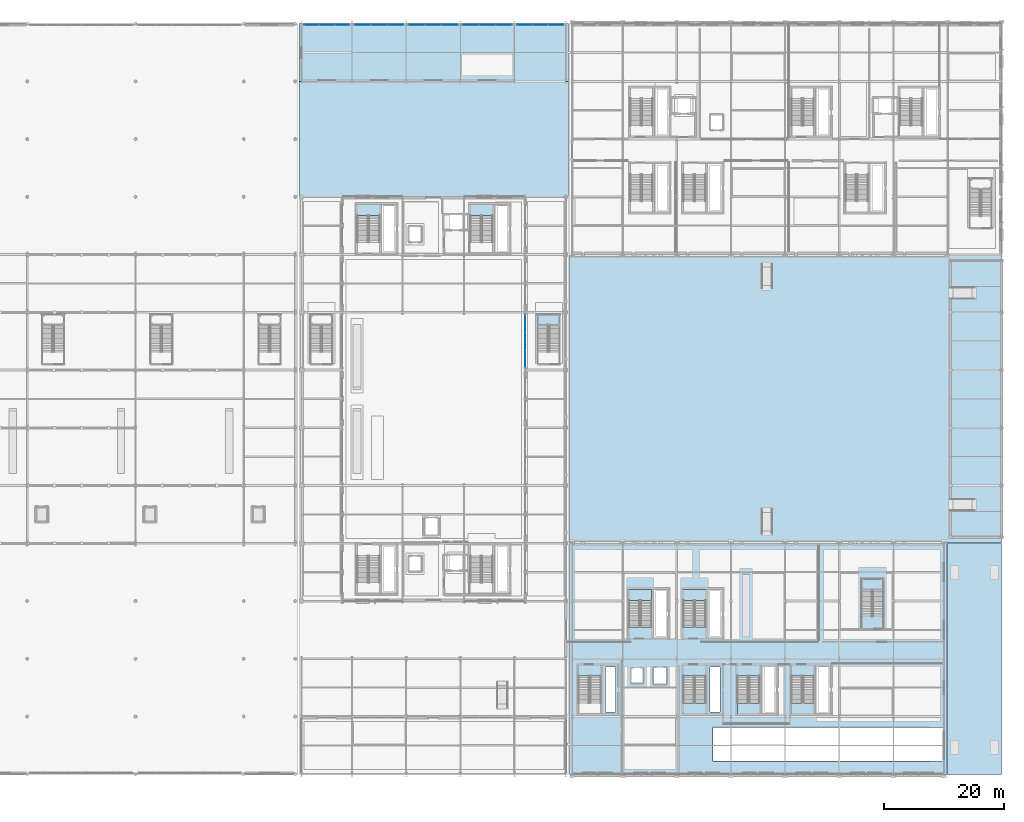
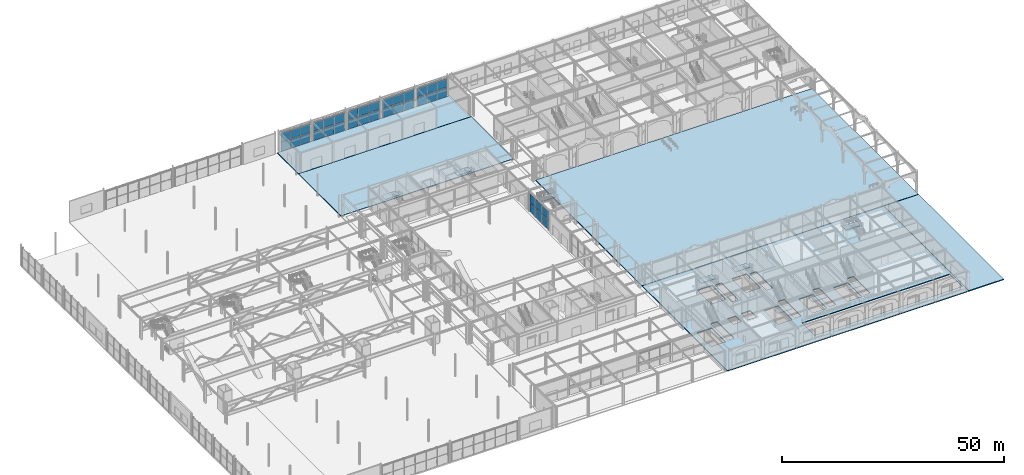
# One storey, part 50 of 113: 36 plates, 14 slabs, 15 elements without a shape of their own.
"""IFC4 building model written with IfcOpenShell, lengths in metres."""

from ifc_helpers import new_model, si_unit, direction, frame, origin, origin_2d, place, context, subcontext, project, spatial, polyline, rectangle, outline, extrude, material, layer, layer_set, type_object, element, aggregate, save


model = new_model("IFC4")

# Units and contexts
model_context = context("Model", 3, precision=1e-05, world=origin(), true_north=direction((0.0, 1.0)))
body_context = subcontext(model_context, "Body", "Model", "MODEL_VIEW")
ifc_project = project(units=[si_unit("LENGTHUNIT", "METRE"), si_unit("AREAUNIT", "SQUARE_METRE"), si_unit("VOLUMEUNIT", "CUBIC_METRE"), si_unit("PLANEANGLEUNIT", "RADIAN"), si_unit("MASSUNIT", "GRAM", prefix="KILO")], contexts=[model_context])

# Site, building, storey
site_placement = place(None, origin())
site = spatial("IfcSite", under=ifc_project, at=site_placement, CompositionType="ELEMENT")
building_placement = place(site_placement, origin())
building = spatial("IfcBuilding", under=site, at=building_placement, Name="Myrtia Square Station", CompositionType="ELEMENT")
storey_placement = place(building_placement, origin())
storey = spatial("IfcBuildingStorey", under=building, at=storey_placement, Name="L00", CompositionType="ELEMENT", Elevation=0.0)

# Curtain wall, plates
ifc_material_1 = material(Name="Dark bronze anodised aluminium", Category="aluminium")
ifc_layer_1 = layer(ifc_material_1, 0.159912109375, Name="Dark bronze anodised aluminium")
ifc_layer_set_1 = layer_set([ifc_layer_1], Name="Dark bronze anodised aluminium")
curtain_wall_type_1 = type_object("IfcCurtainWallType", Name="CW-TYPE-33-826x510", PredefinedType="USERDEFINED", material=ifc_layer_set_1)
curtain_wall_1_placement = place(storey_placement, origin())
curtain_wall_1 = element("IfcCurtainWall", 1, at=curtain_wall_1_placement, inside=storey, type_object=curtain_wall_type_1, Name="Concourse curtain wall CW-L00-106", ObjectType="CONCOURSE CURTAIN WALL", PredefinedType="USERDEFINED")
ifc_material_2 = material(Name="Tinted low-E solar control glass", Category="glass")
ifc_layer_2 = layer(ifc_material_2, 0.02392578125, Name="Tinted low-E solar control glass")
ifc_layer_set_2 = layer_set([ifc_layer_2], Name="Tinted low-E solar control glass")
plate_type_1 = type_object("IfcPlateType", Name="CWP-GLZ-24", PredefinedType="CURTAIN_PANEL", material=ifc_layer_set_2)
plate_1_placement = place(storey_placement, frame((82.765380859375, 124.60009765625, 0.074951171875), z_axis=(0.0, 0.0, 1.0), x_axis=(1.0, 0.0, 0.0)))
plate_1 = element("IfcPlate", 2, at=plate_1_placement, type_object=plate_type_1, Name="CW-106 panel 1.1", PredefinedType="CURTAIN_PANEL", context=body_context, shape_type="SweptSolid", body=[
    extrude(rectangle(XDim=2.640869140625, YDim=0.02392578125, at=origin_2d()), origin(), (0.0, 0.0, 1.0), 2.53955078125),
])
plate_2_placement = place(storey_placement, frame((82.765380859375, 124.60009765625, 2.689453125), z_axis=(0.0, 0.0, 1.0), x_axis=(1.0, 0.0, 0.0)))
plate_2 = element("IfcPlate", 3, at=plate_2_placement, type_object=plate_type_1, Name="CW-106 panel 1.2", PredefinedType="CURTAIN_PANEL", context=body_context, shape_type="SweptSolid", body=[
    extrude(rectangle(XDim=2.640869140625, YDim=0.02392578125, at=origin_2d()), origin(), (0.0, 0.0, 1.0), 2.33544921875),
])
plate_3_placement = place(storey_placement, frame((85.5, 124.60009765625, 0.074951171875), z_axis=(0.0, 0.0, 1.0), x_axis=(1.0, 0.0, 0.0)))
plate_3 = element("IfcPlate", 4, at=plate_3_placement, type_object=plate_type_1, Name="CW-106 panel 2.1", PredefinedType="CURTAIN_PANEL", context=body_context, shape_type="SweptSolid", body=[
    extrude(rectangle(XDim=2.67822265625, YDim=0.02392578125, at=origin_2d()), origin(), (0.0, 0.0, 1.0), 2.53955078125),
])
plate_4_placement = place(storey_placement, frame((85.5, 124.60009765625, 2.689453125), z_axis=(0.0, 0.0, 1.0), x_axis=(1.0, 0.0, 0.0)))
plate_4 = element("IfcPlate", 5, at=plate_4_placement, type_object=plate_type_1, Name="CW-106 panel 2.2", PredefinedType="CURTAIN_PANEL", context=body_context, shape_type="SweptSolid", body=[
    extrude(rectangle(XDim=2.67822265625, YDim=0.02392578125, at=origin_2d()), origin(), (0.0, 0.0, 1.0), 2.33544921875),
])
plate_5_placement = place(storey_placement, frame((88.234619140625, 124.60009765625, 0.074951171875), z_axis=(0.0, 0.0, 1.0), x_axis=(1.0, 0.0, 0.0)))
plate_5 = element("IfcPlate", 6, at=plate_5_placement, type_object=plate_type_1, Name="CW-106 panel 3.1", PredefinedType="CURTAIN_PANEL", context=body_context, shape_type="SweptSolid", body=[
    extrude(rectangle(XDim=2.640869140625, YDim=0.02392578125, at=origin_2d()), origin(), (0.0, 0.0, 1.0), 2.53955078125),
])
plate_6_placement = place(storey_placement, frame((88.234619140625, 124.60009765625, 2.689453125), z_axis=(0.0, 0.0, 1.0), x_axis=(1.0, 0.0, 0.0)))
plate_6 = element("IfcPlate", 7, at=plate_6_placement, type_object=plate_type_1, Name="CW-106 panel 3.2", PredefinedType="CURTAIN_PANEL", context=body_context, shape_type="SweptSolid", body=[
    extrude(rectangle(XDim=2.640869140625, YDim=0.02392578125, at=origin_2d()), origin(), (0.0, 0.0, 1.0), 2.33544921875),
])
aggregate(curtain_wall_1, [plate_1, plate_2, plate_3, plate_4, plate_5, plate_6])

ifc_layer_3 = layer(ifc_material_1, 0.159912109375, Name="Dark bronze anodised aluminium")
ifc_layer_set_3 = layer_set([ifc_layer_3], Name="Dark bronze anodised aluminium")
curtain_wall_type_2 = type_object("IfcCurtainWallType", Name="CW-TYPE-02-870x519", PredefinedType="USERDEFINED", material=ifc_layer_set_3)
curtain_wall_2_placement = place(storey_placement, origin())
curtain_wall_2 = element("IfcCurtainWall", 8, at=curtain_wall_2_placement, inside=storey, type_object=curtain_wall_type_2, Name="Concourse curtain wall CW-L00-004", ObjectType="CONCOURSE CURTAIN WALL", PredefinedType="USERDEFINED")
ifc_layer_4 = layer(ifc_material_2, 0.028076171875, Name="Tinted low-E solar control glass")
ifc_layer_set_4 = layer_set([ifc_layer_4], Name="Tinted low-E solar control glass")
plate_type_2 = type_object("IfcPlateType", Name="CWP-GLZ-28", PredefinedType="CURTAIN_PANEL", material=ifc_layer_set_4)
plate_7_placement = place(storey_placement, frame((109.800048828125, 69.1162109375, 0.06494140625), z_axis=(0.0, 0.0, 1.0), x_axis=(0.0, 1.0, 0.0)))
plate_7 = element("IfcPlate", 9, at=plate_7_placement, type_object=plate_type_2, Name="CW-004 panel 1.1", PredefinedType="CURTAIN_PANEL", context=body_context, shape_type="SweptSolid", body=[
    extrude(rectangle(XDim=2.802490234375, YDim=0.028076171875, at=origin_2d()), origin(), (0.0, 0.0, 1.0), 2.6015625),
])
plate_8_placement = place(storey_placement, frame((109.800048828125, 69.1162109375, 2.7314453125), z_axis=(0.0, 0.0, 1.0), x_axis=(0.0, 1.0, 0.0)))
plate_8 = element("IfcPlate", 10, at=plate_8_placement, type_object=plate_type_2, Name="CW-004 panel 1.2", PredefinedType="CURTAIN_PANEL", context=body_context, shape_type="SweptSolid", body=[
    extrude(rectangle(XDim=2.802490234375, YDim=0.028076171875, at=origin_2d()), origin(), (0.0, 0.0, 1.0), 2.3935546875),
])
plate_9_placement = place(storey_placement, frame((109.800048828125, 72.0, 0.06494140625), z_axis=(0.0, 0.0, 1.0), x_axis=(0.0, 1.0, 0.0)))
plate_9 = element("IfcPlate", 11, at=plate_9_placement, type_object=plate_type_2, Name="CW-004 panel 2.1", PredefinedType="CURTAIN_PANEL", context=body_context, shape_type="SweptSolid", body=[
    extrude(rectangle(XDim=2.8349609375, YDim=0.028076171875, at=origin_2d()), origin(), (0.0, 0.0, 1.0), 2.6015625),
])
plate_10_placement = place(storey_placement, frame((109.800048828125, 72.0, 2.7314453125), z_axis=(0.0, 0.0, 1.0), x_axis=(0.0, 1.0, 0.0)))
plate_10 = element("IfcPlate", 12, at=plate_10_placement, type_object=plate_type_2, Name="CW-004 panel 2.2", PredefinedType="CURTAIN_PANEL", context=body_context, shape_type="SweptSolid", body=[
    extrude(rectangle(XDim=2.8349609375, YDim=0.028076171875, at=origin_2d()), origin(), (0.0, 0.0, 1.0), 2.3935546875),
])
plate_11_placement = place(storey_placement, frame((109.800048828125, 74.8837890625, 0.06494140625), z_axis=(0.0, 0.0, 1.0), x_axis=(0.0, 1.0, 0.0)))
plate_11 = element("IfcPlate", 13, at=plate_11_placement, type_object=plate_type_2, Name="CW-004 panel 3.1", PredefinedType="CURTAIN_PANEL", context=body_context, shape_type="SweptSolid", body=[
    extrude(rectangle(XDim=2.802490234375, YDim=0.028076171875, at=origin_2d()), origin(), (0.0, 0.0, 1.0), 2.6015625),
])
plate_12_placement = place(storey_placement, frame((109.800048828125, 74.8837890625, 2.7314453125), z_axis=(0.0, 0.0, 1.0), x_axis=(0.0, 1.0, 0.0)))
plate_12 = element("IfcPlate", 14, at=plate_12_placement, type_object=plate_type_2, Name="CW-004 panel 3.2", PredefinedType="CURTAIN_PANEL", context=body_context, shape_type="SweptSolid", body=[
    extrude(rectangle(XDim=2.802490234375, YDim=0.028076171875, at=origin_2d()), origin(), (0.0, 0.0, 1.0), 2.3935546875),
])
aggregate(curtain_wall_2, [plate_7, plate_8, plate_9, plate_10, plate_11, plate_12])

ifc_layer_5 = layer(ifc_material_1, 0.159912109375, Name="Dark bronze anodised aluminium")
ifc_layer_set_5 = layer_set([ifc_layer_5], Name="Dark bronze anodised aluminium")
curtain_wall_type_3 = type_object("IfcCurtainWallType", Name="CW-TYPE-30-766x510", PredefinedType="USERDEFINED", material=ifc_layer_set_5)
curtain_wall_3_placement = place(storey_placement, origin())
curtain_wall_3 = element("IfcCurtainWall", 15, at=curtain_wall_3_placement, inside=storey, type_object=curtain_wall_type_3, Name="Concourse curtain wall CW-L00-103", ObjectType="CONCOURSE CURTAIN WALL", PredefinedType="USERDEFINED")
plate_13_placement = place(storey_placement, frame((74.265380859375, 124.60009765625, 0.074951171875), z_axis=(0.0, 0.0, 1.0), x_axis=(1.0, 0.0, 0.0)))
plate_13 = element("IfcPlate", 16, at=plate_13_placement, type_object=plate_type_2, Name="CW-103 panel 1.1", PredefinedType="CURTAIN_PANEL", context=body_context, shape_type="SweptSolid", body=[
    extrude(rectangle(XDim=2.44091796875, YDim=0.028076171875, at=origin_2d()), origin(), (0.0, 0.0, 1.0), 2.53955078125),
])
plate_14_placement = place(storey_placement, frame((74.265380859375, 124.60009765625, 2.689453125), z_axis=(0.0, 0.0, 1.0), x_axis=(1.0, 0.0, 0.0)))
plate_14 = element("IfcPlate", 17, at=plate_14_placement, type_object=plate_type_2, Name="CW-103 panel 1.2", PredefinedType="CURTAIN_PANEL", context=body_context, shape_type="SweptSolid", body=[
    extrude(rectangle(XDim=2.44091796875, YDim=0.028076171875, at=origin_2d()), origin(), (0.0, 0.0, 1.0), 2.33544921875),
])
plate_15_placement = place(storey_placement, frame((76.800048828125, 124.60009765625, 0.074951171875), z_axis=(0.0, 0.0, 1.0), x_axis=(1.0, 0.0, 0.0)))
plate_15 = element("IfcPlate", 18, at=plate_15_placement, type_object=plate_type_2, Name="CW-103 panel 2.1", PredefinedType="CURTAIN_PANEL", context=body_context, shape_type="SweptSolid", body=[
    extrude(rectangle(XDim=2.478271484375, YDim=0.028076171875, at=origin_2d()), origin(), (0.0, 0.0, 1.0), 2.53955078125),
])
plate_16_placement = place(storey_placement, frame((76.800048828125, 124.60009765625, 2.689453125), z_axis=(0.0, 0.0, 1.0), x_axis=(1.0, 0.0, 0.0)))
plate_16 = element("IfcPlate", 19, at=plate_16_placement, type_object=plate_type_2, Name="CW-103 panel 2.2", PredefinedType="CURTAIN_PANEL", context=body_context, shape_type="SweptSolid", body=[
    extrude(rectangle(XDim=2.478271484375, YDim=0.028076171875, at=origin_2d()), origin(), (0.0, 0.0, 1.0), 2.33544921875),
])
plate_17_placement = place(storey_placement, frame((79.33447265625, 124.60009765625, 0.074951171875), z_axis=(0.0, 0.0, 1.0), x_axis=(1.0, 0.0, 0.0)))
plate_17 = element("IfcPlate", 20, at=plate_17_placement, type_object=plate_type_2, Name="CW-103 panel 3.1", PredefinedType="CURTAIN_PANEL", context=body_context, shape_type="SweptSolid", body=[
    extrude(rectangle(XDim=2.44091796875, YDim=0.028076171875, at=origin_2d()), origin(), (0.0, 0.0, 1.0), 2.53955078125),
])
plate_18_placement = place(storey_placement, frame((79.33447265625, 124.60009765625, 2.689453125), z_axis=(0.0, 0.0, 1.0), x_axis=(1.0, 0.0, 0.0)))
plate_18 = element("IfcPlate", 21, at=plate_18_placement, type_object=plate_type_2, Name="CW-103 panel 3.2", PredefinedType="CURTAIN_PANEL", context=body_context, shape_type="SweptSolid", body=[
    extrude(rectangle(XDim=2.44091796875, YDim=0.028076171875, at=origin_2d()), origin(), (0.0, 0.0, 1.0), 2.33544921875),
])
aggregate(curtain_wall_3, [plate_13, plate_14, plate_15, plate_16, plate_17, plate_18])

curtain_wall_4_placement = place(storey_placement, origin())
curtain_wall_4 = element("IfcCurtainWall", 22, at=curtain_wall_4_placement, inside=storey, type_object=curtain_wall_type_1, Name="Concourse curtain wall CW-L00-111", ObjectType="CONCOURSE CURTAIN WALL", PredefinedType="USERDEFINED")
plate_19_placement = place(storey_placement, frame((100.765380859375, 124.60009765625, 0.074951171875), z_axis=(0.0, 0.0, 1.0), x_axis=(1.0, 0.0, 0.0)))
plate_19 = element("IfcPlate", 23, at=plate_19_placement, type_object=plate_type_2, Name="CW-111 panel 1.1", PredefinedType="CURTAIN_PANEL", context=body_context, shape_type="SweptSolid", body=[
    extrude(rectangle(XDim=2.640869140625, YDim=0.028076171875, at=origin_2d()), origin(), (0.0, 0.0, 1.0), 2.53955078125),
])
plate_20_placement = place(storey_placement, frame((100.765380859375, 124.60009765625, 2.689453125), z_axis=(0.0, 0.0, 1.0), x_axis=(1.0, 0.0, 0.0)))
plate_20 = element("IfcPlate", 24, at=plate_20_placement, type_object=plate_type_2, Name="CW-111 panel 1.2", PredefinedType="CURTAIN_PANEL", context=body_context, shape_type="SweptSolid", body=[
    extrude(rectangle(XDim=2.640869140625, YDim=0.028076171875, at=origin_2d()), origin(), (0.0, 0.0, 1.0), 2.33544921875),
])
plate_21_placement = place(storey_placement, frame((103.5, 124.60009765625, 0.074951171875), z_axis=(0.0, 0.0, 1.0), x_axis=(1.0, 0.0, 0.0)))
plate_21 = element("IfcPlate", 25, at=plate_21_placement, type_object=plate_type_2, Name="CW-111 panel 2.1", PredefinedType="CURTAIN_PANEL", context=body_context, shape_type="SweptSolid", body=[
    extrude(rectangle(XDim=2.67822265625, YDim=0.028076171875, at=origin_2d()), origin(), (0.0, 0.0, 1.0), 2.53955078125),
])
plate_22_placement = place(storey_placement, frame((103.5, 124.60009765625, 2.689453125), z_axis=(0.0, 0.0, 1.0), x_axis=(1.0, 0.0, 0.0)))
plate_22 = element("IfcPlate", 26, at=plate_22_placement, type_object=plate_type_2, Name="CW-111 panel 2.2", PredefinedType="CURTAIN_PANEL", context=body_context, shape_type="SweptSolid", body=[
    extrude(rectangle(XDim=2.67822265625, YDim=0.028076171875, at=origin_2d()), origin(), (0.0, 0.0, 1.0), 2.33544921875),
])
plate_23_placement = place(storey_placement, frame((106.234619140625, 124.60009765625, 0.074951171875), z_axis=(0.0, 0.0, 1.0), x_axis=(1.0, 0.0, 0.0)))
plate_23 = element("IfcPlate", 27, at=plate_23_placement, type_object=plate_type_2, Name="CW-111 panel 3.1", PredefinedType="CURTAIN_PANEL", context=body_context, shape_type="SweptSolid", body=[
    extrude(rectangle(XDim=2.640869140625, YDim=0.028076171875, at=origin_2d()), origin(), (0.0, 0.0, 1.0), 2.53955078125),
])
plate_24_placement = place(storey_placement, frame((106.234619140625, 124.60009765625, 2.689453125), z_axis=(0.0, 0.0, 1.0), x_axis=(1.0, 0.0, 0.0)))
plate_24 = element("IfcPlate", 28, at=plate_24_placement, type_object=plate_type_2, Name="CW-111 panel 3.2", PredefinedType="CURTAIN_PANEL", context=body_context, shape_type="SweptSolid", body=[
    extrude(rectangle(XDim=2.640869140625, YDim=0.028076171875, at=origin_2d()), origin(), (0.0, 0.0, 1.0), 2.33544921875),
])
aggregate(curtain_wall_4, [plate_19, plate_20, plate_21, plate_22, plate_23, plate_24])

curtain_wall_5_placement = place(storey_placement, origin())
curtain_wall_5 = element("IfcCurtainWall", 29, at=curtain_wall_5_placement, inside=storey, type_object=curtain_wall_type_1, Name="Concourse curtain wall CW-L00-108", ObjectType="CONCOURSE CURTAIN WALL", PredefinedType="USERDEFINED")
ifc_layer_6 = layer(ifc_material_2, 0.031982421875, Name="Tinted low-E solar control glass")
ifc_layer_set_6 = layer_set([ifc_layer_6], Name="Tinted low-E solar control glass")
plate_type_3 = type_object("IfcPlateType", Name="CWP-GLZ-32", PredefinedType="CURTAIN_PANEL", material=ifc_layer_set_6)
plate_25_placement = place(storey_placement, frame((91.765380859375, 124.60009765625, 0.074951171875), z_axis=(0.0, 0.0, 1.0), x_axis=(1.0, 0.0, 0.0)))
plate_25 = element("IfcPlate", 30, at=plate_25_placement, type_object=plate_type_3, Name="CW-108 panel 1.1", PredefinedType="CURTAIN_PANEL", context=body_context, shape_type="SweptSolid", body=[
    extrude(rectangle(XDim=2.640869140625, YDim=0.031982421875, at=origin_2d()), origin(), (0.0, 0.0, 1.0), 2.53955078125),
])
plate_26_placement = place(storey_placement, frame((91.765380859375, 124.60009765625, 2.689453125), z_axis=(0.0, 0.0, 1.0), x_axis=(1.0, 0.0, 0.0)))
plate_26 = element("IfcPlate", 31, at=plate_26_placement, type_object=plate_type_3, Name="CW-108 panel 1.2", PredefinedType="CURTAIN_PANEL", context=body_context, shape_type="SweptSolid", body=[
    extrude(rectangle(XDim=2.640869140625, YDim=0.031982421875, at=origin_2d()), origin(), (0.0, 0.0, 1.0), 2.33544921875),
])
plate_27_placement = place(storey_placement, frame((94.5, 124.60009765625, 0.074951171875), z_axis=(0.0, 0.0, 1.0), x_axis=(1.0, 0.0, 0.0)))
plate_27 = element("IfcPlate", 32, at=plate_27_placement, type_object=plate_type_3, Name="CW-108 panel 2.1", PredefinedType="CURTAIN_PANEL", context=body_context, shape_type="SweptSolid", body=[
    extrude(rectangle(XDim=2.67822265625, YDim=0.031982421875, at=origin_2d()), origin(), (0.0, 0.0, 1.0), 2.53955078125),
])
plate_28_placement = place(storey_placement, frame((94.5, 124.60009765625, 2.689453125), z_axis=(0.0, 0.0, 1.0), x_axis=(1.0, 0.0, 0.0)))
plate_28 = element("IfcPlate", 33, at=plate_28_placement, type_object=plate_type_3, Name="CW-108 panel 2.2", PredefinedType="CURTAIN_PANEL", context=body_context, shape_type="SweptSolid", body=[
    extrude(rectangle(XDim=2.67822265625, YDim=0.031982421875, at=origin_2d()), origin(), (0.0, 0.0, 1.0), 2.33544921875),
])
plate_29_placement = place(storey_placement, frame((97.234619140625, 124.60009765625, 0.074951171875), z_axis=(0.0, 0.0, 1.0), x_axis=(1.0, 0.0, 0.0)))
plate_29 = element("IfcPlate", 34, at=plate_29_placement, type_object=plate_type_3, Name="CW-108 panel 3.1", PredefinedType="CURTAIN_PANEL", context=body_context, shape_type="SweptSolid", body=[
    extrude(rectangle(XDim=2.640869140625, YDim=0.031982421875, at=origin_2d()), origin(), (0.0, 0.0, 1.0), 2.53955078125),
])
plate_30_placement = place(storey_placement, frame((97.234619140625, 124.60009765625, 2.689453125), z_axis=(0.0, 0.0, 1.0), x_axis=(1.0, 0.0, 0.0)))
plate_30 = element("IfcPlate", 35, at=plate_30_placement, type_object=plate_type_3, Name="CW-108 panel 3.2", PredefinedType="CURTAIN_PANEL", context=body_context, shape_type="SweptSolid", body=[
    extrude(rectangle(XDim=2.640869140625, YDim=0.031982421875, at=origin_2d()), origin(), (0.0, 0.0, 1.0), 2.33544921875),
])
aggregate(curtain_wall_5, [plate_25, plate_26, plate_27, plate_28, plate_29, plate_30])

ifc_layer_7 = layer(ifc_material_1, 0.159912109375, Name="Dark bronze anodised aluminium")
ifc_layer_set_7 = layer_set([ifc_layer_7], Name="Dark bronze anodised aluminium")
curtain_wall_type_4 = type_object("IfcCurtainWallType", Name="CW-TYPE-35-781x510", PredefinedType="USERDEFINED", material=ifc_layer_set_7)
curtain_wall_6_placement = place(storey_placement, origin())
curtain_wall_6 = element("IfcCurtainWall", 36, at=curtain_wall_6_placement, inside=storey, type_object=curtain_wall_type_4, Name="Concourse curtain wall CW-L00-113", ObjectType="CONCOURSE CURTAIN WALL", PredefinedType="USERDEFINED")
ifc_layer_8 = layer(ifc_material_2, 0.035888671875, Name="Tinted low-E solar control glass")
ifc_layer_set_8 = layer_set([ifc_layer_8], Name="Tinted low-E solar control glass")
plate_type_4 = type_object("IfcPlateType", Name="CWP-GLZ-36", PredefinedType="CURTAIN_PANEL", material=ifc_layer_set_8)
plate_31_placement = place(storey_placement, frame((109.6904296875, 124.60009765625, 0.074951171875), z_axis=(0.0, 0.0, 1.0), x_axis=(1.0, 0.0, 0.0)))
plate_31 = element("IfcPlate", 37, at=plate_31_placement, type_object=plate_type_4, Name="CW-113 panel 1.1", PredefinedType="CURTAIN_PANEL", context=body_context, shape_type="SweptSolid", body=[
    extrude(rectangle(XDim=2.49072265625, YDim=0.035888671875, at=origin_2d()), origin(), (0.0, 0.0, 1.0), 2.53955078125),
])
plate_32_placement = place(storey_placement, frame((109.6904296875, 124.60009765625, 2.689453125), z_axis=(0.0, 0.0, 1.0), x_axis=(1.0, 0.0, 0.0)))
plate_32 = element("IfcPlate", 38, at=plate_32_placement, type_object=plate_type_4, Name="CW-113 panel 1.2", PredefinedType="CURTAIN_PANEL", context=body_context, shape_type="SweptSolid", body=[
    extrude(rectangle(XDim=2.49072265625, YDim=0.035888671875, at=origin_2d()), origin(), (0.0, 0.0, 1.0), 2.33544921875),
])
plate_33_placement = place(storey_placement, frame((112.27490234375, 124.60009765625, 0.074951171875), z_axis=(0.0, 0.0, 1.0), x_axis=(1.0, 0.0, 0.0)))
plate_33 = element("IfcPlate", 39, at=plate_33_placement, type_object=plate_type_4, Name="CW-113 panel 2.1", PredefinedType="CURTAIN_PANEL", context=body_context, shape_type="SweptSolid", body=[
    extrude(rectangle(XDim=2.5283203125, YDim=0.035888671875, at=origin_2d()), origin(), (0.0, 0.0, 1.0), 2.53955078125),
])
plate_34_placement = place(storey_placement, frame((112.27490234375, 124.60009765625, 2.689453125), z_axis=(0.0, 0.0, 1.0), x_axis=(1.0, 0.0, 0.0)))
plate_34 = element("IfcPlate", 40, at=plate_34_placement, type_object=plate_type_4, Name="CW-113 panel 2.2", PredefinedType="CURTAIN_PANEL", context=body_context, shape_type="SweptSolid", body=[
    extrude(rectangle(XDim=2.5283203125, YDim=0.035888671875, at=origin_2d()), origin(), (0.0, 0.0, 1.0), 2.33544921875),
])
plate_35_placement = place(storey_placement, frame((114.859619140625, 124.60009765625, 0.074951171875), z_axis=(0.0, 0.0, 1.0), x_axis=(1.0, 0.0, 0.0)))
plate_35 = element("IfcPlate", 41, at=plate_35_placement, type_object=plate_type_4, Name="CW-113 panel 3.1", PredefinedType="CURTAIN_PANEL", context=body_context, shape_type="SweptSolid", body=[
    extrude(rectangle(XDim=2.49072265625, YDim=0.035888671875, at=origin_2d()), origin(), (0.0, 0.0, 1.0), 2.53955078125),
])
plate_36_placement = place(storey_placement, frame((114.859619140625, 124.60009765625, 2.689453125), z_axis=(0.0, 0.0, 1.0), x_axis=(1.0, 0.0, 0.0)))
plate_36 = element("IfcPlate", 42, at=plate_36_placement, type_object=plate_type_4, Name="CW-113 panel 3.2", PredefinedType="CURTAIN_PANEL", context=body_context, shape_type="SweptSolid", body=[
    extrude(rectangle(XDim=2.49072265625, YDim=0.035888671875, at=origin_2d()), origin(), (0.0, 0.0, 1.0), 2.33544921875),
])
aggregate(curtain_wall_6, [plate_31, plate_32, plate_33, plate_34, plate_35, plate_36])

# Slab
ifc_material_3 = material(Name="Concrete C35/45", Category="concrete")
ifc_layer_9 = layer(ifc_material_3, 0.260009765625, Name="Concrete C35/45")
ifc_layer_set_9 = layer_set([ifc_layer_9], Name="Concrete C35/45")
slab_type_1 = type_object("IfcSlabType", Name="SLB-FLR-260", PredefinedType="FLOOR", material=ifc_layer_set_9)
slab_1_placement = place(storey_placement, frame((0.0, 0.0, -0.260009765625)))
element("IfcSlab", 43, at=slab_1_placement, inside=storey, type_object=slab_type_1, Name="Structural floor slab SLB-L00-V5W", PredefinedType="FLOOR", context=body_context, shape_type="SweptSolid", body=[
    extrude(outline(polyline([(72.14990234375, 115.199951171875), (117.0, 115.199951171875), (117.0, 124.800048828125), (72.14990234375, 124.800048828125), (72.14990234375, 115.199951171875)])), origin(), (0.0, 0.0, 1.0), 0.260009765625),
])

# Stair, slab
stair_type_1 = type_object("IfcStairType", Name="STR-02-34R-1800W", PredefinedType="HALF_TURN_STAIR", material=ifc_material_3)
stair_1_placement = place(storey_placement, origin())
stair_1 = element("IfcStair", 44, at=stair_1_placement, inside=storey, type_object=stair_type_1, Name="L00 Core escape stair ST02", PredefinedType="HALF_TURN_STAIR")
ifc_layer_10 = layer(ifc_material_3, 0.199951171875, Name="Concrete C35/45")
ifc_layer_set_10 = layer_set([ifc_layer_10], Name="Concrete C35/45")
slab_type_2 = type_object("IfcSlabType", Name="SLB-LAND-200", PredefinedType="LANDING", material=ifc_layer_set_10)
slab_2_placement = place(storey_placement, frame((0.0, 0.0, 2.800048828125)))
slab_2 = element("IfcSlab", 45, at=slab_2_placement, type_object=slab_type_2, Name="ST02 landing 1", PredefinedType="LANDING", context=body_context, shape_type="SweptSolid", body=[
    extrude(outline(polyline([(85.610107421875, 92.929931640625), (85.610107421875, 94.75), (81.85009765625, 94.75), (81.85009765625, 92.929931640625), (85.610107421875, 92.929931640625)])), origin(), (0.0, 0.0, 1.0), 0.199951171875),
])
aggregate(stair_1, [slab_2])

stair_2_placement = place(storey_placement, origin())
stair_2 = element("IfcStair", 46, at=stair_2_placement, inside=storey, type_object=stair_type_1, Name="L00 Core escape stair ST04", PredefinedType="HALF_TURN_STAIR")
slab_3_placement = place(storey_placement, frame((0.0, 0.0, 2.800048828125)))
slab_3 = element("IfcSlab", 47, at=slab_3_placement, type_object=slab_type_2, Name="ST04 landing 1", PredefinedType="LANDING", context=body_context, shape_type="SweptSolid", body=[
    extrude(outline(polyline([(104.409912109375, 92.929931640625), (104.409912109375, 94.75), (100.64990234375, 94.75), (100.64990234375, 92.929931640625), (104.409912109375, 92.929931640625)])), origin(), (0.0, 0.0, 1.0), 0.199951171875),
])
aggregate(stair_2, [slab_3])

stair_3_placement = place(storey_placement, origin())
stair_3 = element("IfcStair", 48, at=stair_3_placement, inside=storey, type_object=stair_type_1, Name="L00 Core escape stair ST06", PredefinedType="HALF_TURN_STAIR")
slab_4_placement = place(storey_placement, frame((0.0, 0.0, 2.800048828125)))
slab_4 = element("IfcSlab", 49, at=slab_4_placement, type_object=slab_type_2, Name="ST06 landing 1", PredefinedType="LANDING", context=body_context, shape_type="SweptSolid", body=[
    extrude(outline(polyline([(136.050048828125, 11.8701171875), (136.050048828125, 10.050048828125), (139.81005859375, 10.050048828125), (139.81005859375, 11.8701171875), (136.050048828125, 11.8701171875)])), origin(), (0.0, 0.0, 1.0), 0.199951171875),
])
aggregate(stair_3, [slab_4])

stair_4_placement = place(storey_placement, origin())
stair_4 = element("IfcStair", 50, at=stair_4_placement, inside=storey, type_object=stair_type_1, Name="L00 Core escape stair ST09", PredefinedType="HALF_TURN_STAIR")
slab_5_placement = place(storey_placement, frame((0.0, 0.0, 2.800048828125)))
slab_5 = element("IfcSlab", 51, at=slab_5_placement, type_object=slab_type_2, Name="ST09 landing 1", PredefinedType="LANDING", context=body_context, shape_type="SweptSolid", body=[
    extrude(outline(polyline([(139.81005859375, 28.929931640625), (139.81005859375, 30.75), (136.050048828125, 30.75), (136.050048828125, 28.929931640625), (139.81005859375, 28.929931640625)])), origin(), (0.0, 0.0, 1.0), 0.199951171875),
])
aggregate(stair_4, [slab_5])

stair_5_placement = place(storey_placement, origin())
stair_5 = element("IfcStair", 52, at=stair_5_placement, inside=storey, type_object=stair_type_1, Name="L00 Core escape stair ST10", PredefinedType="HALF_TURN_STAIR")
slab_6_placement = place(storey_placement, frame((0.0, 0.0, 2.800048828125)))
slab_6 = element("IfcSlab", 53, at=slab_6_placement, type_object=slab_type_2, Name="ST10 landing 1", PredefinedType="LANDING", context=body_context, shape_type="SweptSolid", body=[
    extrude(outline(polyline([(130.81005859375, 28.929931640625), (130.81005859375, 30.75), (127.050048828125, 30.75), (127.050048828125, 28.929931640625), (130.81005859375, 28.929931640625)])), origin(), (0.0, 0.0, 1.0), 0.199951171875),
])
aggregate(stair_5, [slab_6])

stair_6_placement = place(storey_placement, origin())
stair_6 = element("IfcStair", 54, at=stair_6_placement, inside=storey, type_object=stair_type_1, Name="L00 Core escape stair ST11", PredefinedType="HALF_TURN_STAIR")
slab_7_placement = place(storey_placement, frame((0.0, 0.0, 2.800048828125)))
slab_7 = element("IfcSlab", 55, at=slab_7_placement, type_object=slab_type_2, Name="ST11 landing 1", PredefinedType="LANDING", context=body_context, shape_type="SweptSolid", body=[
    extrude(outline(polyline([(145.050048828125, 11.8701171875), (145.050048828125, 10.050048828125), (148.81005859375, 10.050048828125), (148.81005859375, 11.8701171875), (145.050048828125, 11.8701171875)])), origin(), (0.0, 0.0, 1.0), 0.199951171875),
])
aggregate(stair_6, [slab_7])

stair_7_placement = place(storey_placement, origin())
stair_7 = element("IfcStair", 56, at=stair_7_placement, inside=storey, type_object=stair_type_1, Name="L00 Core escape stair ST14", PredefinedType="HALF_TURN_STAIR")
slab_8_placement = place(storey_placement, frame((0.0, 0.0, 2.800048828125)))
slab_8 = element("IfcSlab", 57, at=slab_8_placement, type_object=slab_type_2, Name="ST14 landing 1", PredefinedType="LANDING", context=body_context, shape_type="SweptSolid", body=[
    extrude(outline(polyline([(154.050048828125, 11.8701171875), (154.050048828125, 10.050048828125), (157.81005859375, 10.050048828125), (157.81005859375, 11.8701171875), (154.050048828125, 11.8701171875)])), origin(), (0.0, 0.0, 1.0), 0.199951171875),
])
aggregate(stair_7, [slab_8])

stair_type_2 = type_object("IfcStairType", Name="STR-06-34R-1800W", PredefinedType="TWO_STRAIGHT_RUN_STAIR", material=ifc_material_3)
stair_8_placement = place(storey_placement, origin())
stair_8 = element("IfcStair", 58, at=stair_8_placement, inside=storey, type_object=stair_type_2, Name="L00 Platform interchange stair ST70", PredefinedType="TWO_STRAIGHT_RUN_STAIR")
ifc_layer_11 = layer(ifc_material_3, 0.25, Name="Concrete C35/45")
ifc_layer_set_11 = layer_set([ifc_layer_11], Name="Concrete C35/45")
slab_type_3 = type_object("IfcSlabType", Name="SLB-LAND-250", PredefinedType="LANDING", material=ifc_layer_set_11)
slab_9_placement = place(storey_placement, frame((0.0, 0.0, 2.800048828125)))
slab_9 = element("IfcSlab", 59, at=slab_9_placement, type_object=slab_type_3, Name="ST70 landing 1", PredefinedType="LANDING", context=body_context, shape_type="SweptSolid", body=[
    extrude(outline(polyline([(115.60009765625, 74.679931640625), (115.60009765625, 76.5), (111.840087890625, 76.5), (111.840087890625, 74.679931640625), (115.60009765625, 74.679931640625)])), origin(), (0.0, 0.0, 1.0), 0.199951171875),
])
aggregate(stair_8, [slab_9])

stair_9_placement = place(storey_placement, origin())
stair_9 = element("IfcStair", 60, at=stair_9_placement, inside=storey, type_object=stair_type_2, Name="L00 Platform interchange stair ST71", PredefinedType="TWO_STRAIGHT_RUN_STAIR")
slab_10_placement = place(storey_placement, frame((0.0, 0.0, 2.800048828125)))
slab_10 = element("IfcSlab", 61, at=slab_10_placement, type_object=slab_type_3, Name="ST71 landing 1", PredefinedType="LANDING", context=body_context, shape_type="SweptSolid", body=[
    extrude(outline(polyline([(169.39990234375, 30.679931640625), (169.39990234375, 32.5), (165.639892578125, 32.5), (165.639892578125, 30.679931640625), (169.39990234375, 30.679931640625)])), origin(), (0.0, 0.0, 1.0), 0.199951171875),
])
aggregate(stair_9, [slab_10])

# Slabs
ifc_layer_12 = layer(ifc_material_3, 0.2451171875, Name="Concrete C35/45")
ifc_layer_set_12 = layer_set([ifc_layer_12], Name="Concrete C35/45")
slab_type_4 = type_object("IfcSlabType", Name="SLB-PAV-190", PredefinedType="FLOOR", material=ifc_layer_set_12)
slab_11_placement = place(storey_placement, frame((0.0, 0.0, -0.2451171875)))
element("IfcSlab", 62, at=slab_11_placement, inside=storey, type_object=slab_type_4, Name="Myrtia Civic Square stone paving", PredefinedType="FLOOR", context=body_context, shape_type="SweptSolid", body=[
    extrude(outline(polyline([(117.14990234375, 38.449951171875), (189.0, 38.449951171875), (189.0, 86.35009765625), (117.14990234375, 86.35009765625), (117.14990234375, 38.449951171875)])), origin(), (0.0, 0.0, 1.0), 0.2451171875),
])
slab_12_placement = place(storey_placement, frame((0.0, 0.0, -0.2451171875)))
element("IfcSlab", 63, at=slab_12_placement, inside=storey, type_object=slab_type_4, Name="East service driveway and loading apron", PredefinedType="FLOOR", context=body_context, shape_type="SweptSolid", body=[
    extrude(outline(polyline([(179.89990234375, 0.0), (189.0, 0.0), (189.0, 38.35009765625), (179.89990234375, 38.35009765625), (179.89990234375, 0.0)])), origin(), (0.0, 0.0, 1.0), 0.2451171875),
])
slab_13_placement = place(storey_placement, frame((0.0, 0.0, -0.18994140625)))
element("IfcSlab", 64, at=slab_13_placement, inside=storey, type_object=slab_type_4, Name="North Olive Court stone paving", PredefinedType="FLOOR", context=body_context, shape_type="SweptSolid", body=[
    extrude(outline(polyline([(72.14990234375, 96.050048828125), (117.0, 96.050048828125), (117.0, 115.14990234375), (72.14990234375, 115.14990234375), (72.14990234375, 96.050048828125)])), origin(), (0.0, 0.0, 1.0), 0.18994140625),
])
ifc_layer_13 = layer(ifc_material_3, 0.27001953125, Name="Concrete C35/45")
ifc_layer_set_13 = layer_set([ifc_layer_13], Name="Concrete C35/45")
slab_type_5 = type_object("IfcSlabType", Name="SLB-RET-270", PredefinedType="FLOOR", material=ifc_layer_set_13)
slab_14_placement = place(storey_placement, frame((0.0, 0.0, -0.27001953125)))
element("IfcSlab", 65, at=slab_14_placement, inside=storey, type_object=slab_type_5, Name="Structural floor slab SLB-L00-V4E", PredefinedType="FLOOR", context=body_context, shape_type="SweptSolid", body=[
    extrude(outline(polyline([(117.14990234375, 0.0), (179.85009765625, 0.0), (179.85009765625, 38.39990234375), (117.14990234375, 38.39990234375), (117.14990234375, 0.0)]), holes=[polyline([(123.14990234375, 10.35009765625), (123.14990234375, 17.85009765625), (124.800048828125, 17.85009765625), (124.800048828125, 10.35009765625), (123.14990234375, 10.35009765625)]), polyline([(140.550048828125, 10.35009765625), (140.550048828125, 17.85009765625), (142.199951171875, 17.85009765625), (142.199951171875, 10.35009765625), (140.550048828125, 10.35009765625)]), polyline([(140.550048828125, 22.949951171875), (140.550048828125, 30.449951171875), (142.199951171875, 30.449951171875), (142.199951171875, 22.949951171875), (140.550048828125, 22.949951171875)]), polyline([(131.550048828125, 22.949951171875), (131.550048828125, 30.449951171875), (133.199951171875, 30.449951171875), (133.199951171875, 22.949951171875), (131.550048828125, 22.949951171875)]), polyline([(149.550048828125, 10.35009765625), (149.550048828125, 17.85009765625), (151.199951171875, 17.85009765625), (151.199951171875, 10.35009765625), (149.550048828125, 10.35009765625)]), polyline([(158.550048828125, 10.35009765625), (158.550048828125, 17.85009765625), (160.199951171875, 17.85009765625), (160.199951171875, 10.35009765625), (158.550048828125, 10.35009765625)]), polyline([(118.64990234375, 10.050048828125), (118.64990234375, 16.320068359375), (122.409912109375, 16.320068359375), (122.409912109375, 10.050048828125), (118.64990234375, 10.050048828125)]), polyline([(136.050048828125, 10.050048828125), (136.050048828125, 16.320068359375), (139.81005859375, 16.320068359375), (139.81005859375, 10.050048828125), (136.050048828125, 10.050048828125)]), polyline([(136.050048828125, 24.47998046875), (136.050048828125, 30.75), (139.81005859375, 30.75), (139.81005859375, 24.47998046875), (136.050048828125, 24.47998046875)]), polyline([(127.050048828125, 24.47998046875), (127.050048828125, 30.75), (130.81005859375, 30.75), (130.81005859375, 24.47998046875), (127.050048828125, 24.47998046875)]), polyline([(145.050048828125, 10.050048828125), (145.050048828125, 16.320068359375), (148.81005859375, 16.320068359375), (148.81005859375, 10.050048828125), (145.050048828125, 10.050048828125)]), polyline([(154.050048828125, 10.050048828125), (154.050048828125, 16.320068359375), (157.81005859375, 16.320068359375), (157.81005859375, 10.050048828125), (154.050048828125, 10.050048828125)]), polyline([(127.35009765625, 15.10009765625), (127.35009765625, 17.699951171875), (129.449951171875, 17.699951171875), (129.449951171875, 15.10009765625), (127.35009765625, 15.10009765625)]), polyline([(131.050048828125, 14.949951171875), (131.050048828125, 17.85009765625), (133.35009765625, 17.85009765625), (133.35009765625, 14.949951171875), (131.050048828125, 14.949951171875)]), polyline([(141.0, 2.199951171875), (141.0, 7.800048828125), (179.449951171875, 7.800048828125), (179.449951171875, 2.199951171875), (141.0, 2.199951171875)])]), origin(), (0.0, 0.0, 1.0), 0.27001953125),
])

save(model, "model.ifc")
